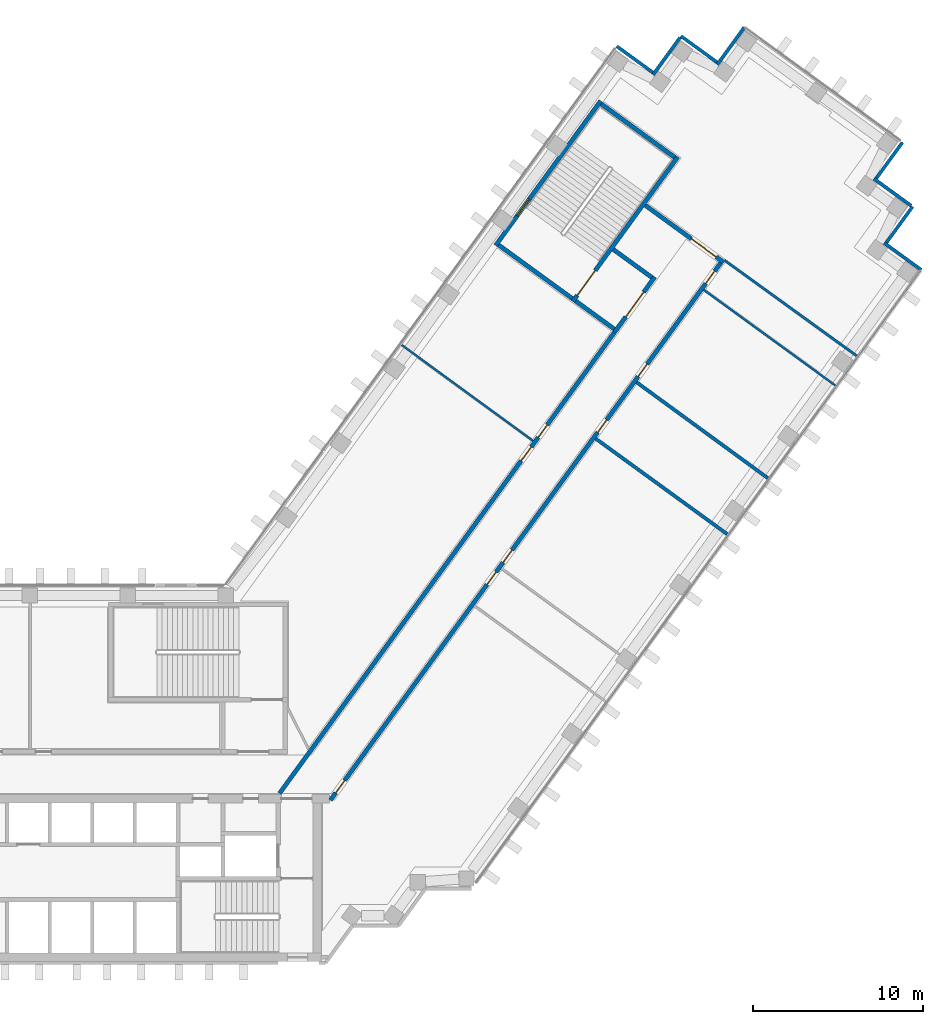
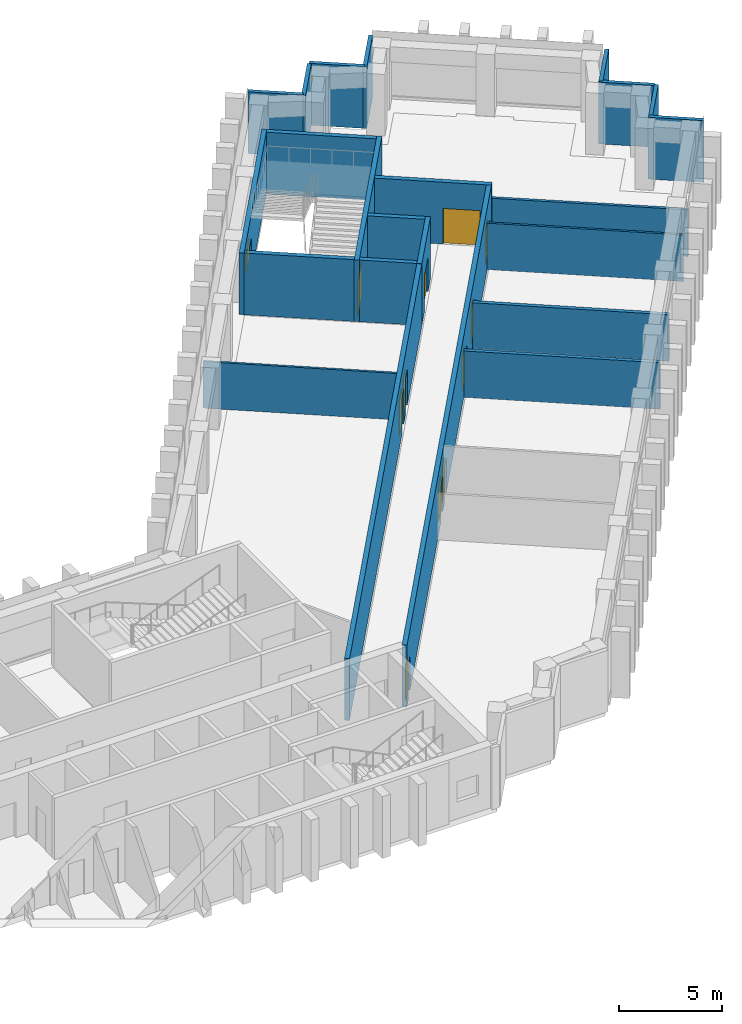
# One storey, part 13 of 17: 23 walls, 11 doors, 1 window, 12 openings.
"""IFC4 building model written with IfcOpenShell, lengths in metres."""

from ifc_helpers import new_model, si_unit, direction, frame, frame_2d, origin, place, context, subcontext, project, spatial, rectangle, extrude, material, layer, layer_set, type_object, element, fill, save


model = new_model("IFC4")

# Units and contexts
model_context = context("Model", 3, precision=1e-05, world=origin(), true_north=direction((0.0, 1.0)))
body_context = subcontext(model_context, "Body", "Model", "MODEL_VIEW")
ifc_project = project(units=[si_unit("LENGTHUNIT", "METRE"), si_unit("AREAUNIT", "SQUARE_METRE"), si_unit("VOLUMEUNIT", "CUBIC_METRE"), si_unit("PLANEANGLEUNIT", "RADIAN"), si_unit("MASSUNIT", "GRAM", prefix="KILO")], contexts=[model_context])

# Site, building, storey
site_placement = place(None, origin())
site = spatial("IfcSite", under=ifc_project, at=site_placement, CompositionType="ELEMENT")
building_placement = place(site_placement, origin())
building = spatial("IfcBuilding", under=site, at=building_placement, Name="Quipu Civic Tower", CompositionType="ELEMENT")
storey_placement = place(building_placement, frame((0.0, 0.0, 39.0)))
storey = spatial("IfcBuildingStorey", under=building, at=storey_placement, Name="L08", CompositionType="ELEMENT", Elevation=39.0)

# Walls
ifc_material_1 = material(Name="Double gypsum plasterboard with mineral wool")
ifc_layer_1 = layer(ifc_material_1, 0.14990234375)
ifc_layer_set_1 = layer_set([ifc_layer_1], Name="Double gypsum plasterboard with mineral wool")
wall_type_1 = type_object("IfcWallType", Name="Acoustic partition 150 plasterboard", PredefinedType="PARTITIONING", material=ifc_layer_set_1)
wall_1_placement = place(storey_placement, frame((43.698486328125, 30.185302734375, 0.0), z_axis=(0.0, 0.0, 1.0), x_axis=(0.810419489461, -0.58585002441, 0.0)))
element("IfcWall", 1, at=wall_1_placement, inside=storey, type_object=wall_type_1, Name="Partition P13", PredefinedType="PARTITIONING", context=body_context, shape_type="SweptSolid", body=[
    extrude(rectangle(XDim=9.570068359375, YDim=0.14990234375, at=frame_2d((4.78515625, 0.0))), origin(), (0.0, 0.0, 1.0), 2.75),
])
ifc_material_2 = material(Name="Fired clay blockwork", Category="masonry")
ifc_layer_2 = layer(ifc_material_2, 0.199951171875)
ifc_layer_set_2 = layer_set([ifc_layer_2], Name="Fired clay blockwork")
wall_type_2 = type_object("IfcWallType", Name="Blockwork wall 200", PredefinedType="SOLIDWALL", material=ifc_layer_set_2)
for number, where, z_axis, x_axis, name in (
    (2, (43.84423828125, 14.1044921875, 0.0), (0.0, 0.0, 1.0), (-0.809102944047, 0.587666934526, 0.0), "Partition P03"),
    (3, (38.521728515625, 23.026123046875, 0.0), (0.0, 0.0, 1.0), (0.807606997933, -0.589721067023, 0.0), "Partition P05"),
):
    element("IfcWall", number, at=place(storey_placement, frame(where, z_axis=z_axis, x_axis=x_axis)), inside=storey, type_object=wall_type_2, Name=name, PredefinedType="SOLIDWALL", context=body_context, shape_type="SweptSolid", body=[
        extrude(rectangle(XDim=9.550048828125, YDim=0.199951171875, at=frame_2d((4.77490234375, 0.0))), origin(), (0.0, 0.0, 1.0), 2.75),
    ])

# Wall, opening, door
ifc_material_3 = material(Name="Concrete C70/85", Category="concrete")
ifc_layer_3 = layer(ifc_material_3, 0.25)
ifc_layer_set_3 = layer_set([ifc_layer_3], Name="Concrete C70/85")
wall_type_3 = type_object("IfcWallType", Name="Core wall 250", PredefinedType="SHEAR", material=ifc_layer_set_3)
wall_2_placement = place(storey_placement, frame((37.237548828125, 25.979736328125, 0.0), z_axis=(0.0, 0.0, 1.0), x_axis=(0.587772420479, 0.809026317077, 0.0)))
wall_2 = element("IfcWall", 4, at=wall_2_placement, inside=storey, type_object=wall_type_3, Name="Core wall", PredefinedType="SHEAR", context=body_context, shape_type="SweptSolid", body=[
    extrude(rectangle(XDim=4.0, YDim=0.25, at=frame_2d((2.0, 0.0))), origin(), (0.0, 0.0, 1.0), 3.64990234375),
])
opening_1_placement = place(wall_2_placement, frame((1.10009765625, 0.0, 0.0)))
opening_1 = element("IfcOpeningElement", 5, at=opening_1_placement, cuts=wall_2, Name="Opening CD-21", PredefinedType="OPENING", context=body_context, shape_type="SweptSolid", body=[
    extrude(rectangle(XDim=1.800048828125, YDim=2.10009765625, at=frame_2d((0.89990234375, 1.050048828125))), frame((0.0, 0.135009765625, 0.0), z_axis=(0.0, -1.0, 0.0), x_axis=(1.0, 0.0, 0.0)), (0.0, 0.0, 1.0), 0.27001953125),
])
ifc_material_4 = material(Name="Fire rated steel door", Category="steel")
door_type_1 = type_object("IfcDoorType", Name="Fire door FD90 double 1800 x 2100", OperationType="NOTDEFINED", PredefinedType="DOOR", material=ifc_material_4)
door_1_placement = place(opening_1_placement, origin())
door_1 = element("IfcDoor", 6, at=door_1_placement, inside=storey, type_object=door_type_1, Name="Lobby door", OperationType="DOUBLE_DOOR_SINGLE_SWING", OverallHeight=2.10009765625, OverallWidth=1.800048828125, PredefinedType="DOOR", context=body_context, shape_type="SweptSolid", body=[
    extrude(rectangle(XDim=1.800048828125, YDim=2.10009765625, at=frame_2d((0.89990234375, 1.050048828125))), frame((0.0, 0.02490234375, 0.0), z_axis=(0.0, -1.0, 0.0), x_axis=(1.0, 0.0, 0.0)), (0.0, 0.0, 1.0), 0.050048828125),
])
fill(opening_1, door_1)

# Walls
for number, where, z_axis, x_axis, name in (
    (7, (37.2099609375, 26.154296875, 0.0), (0.0, 0.0, 1.0), (-0.809041377956, 0.587751689708, 0.0), "Core wall"),
    (8, (39.4140625, 29.18798828125, 0.0), (0.0, 0.0, 1.0), (-0.808969789945, 0.58785021813, 0.0), "Core wall"),
):
    element("IfcWall", number, at=place(storey_placement, frame(where, z_axis=z_axis, x_axis=x_axis)), inside=storey, type_object=wall_type_3, Name=name, PredefinedType="SHEAR", context=body_context, shape_type="SweptSolid", body=[
        extrude(rectangle(XDim=2.800048828125, YDim=0.25, at=frame_2d((1.39990234375, 0.0))), origin(), (0.0, 0.0, 1.0), 3.64990234375),
    ])

# Wall, opening, door
wall_3_placement = place(storey_placement, frame((34.77001953125, 27.7724609375, 0.0), z_axis=(0.0, 0.0, 1.0), x_axis=(0.587795589702, 0.809009483706, 0.0)))
wall_3 = element("IfcWall", 9, at=wall_3_placement, inside=storey, type_object=wall_type_3, Name="Core wall", PredefinedType="SHEAR", context=body_context, shape_type="SweptSolid", body=[
    extrude(rectangle(XDim=10.5, YDim=0.25, at=frame_2d((5.25, 0.0))), origin(), (0.0, 0.0, 1.0), 3.64990234375),
])
opening_2_placement = place(wall_3_placement, frame((0.449951171875, 0.0, 0.0)))
opening_2 = element("IfcOpeningElement", 10, at=opening_2_placement, cuts=wall_3, Name="Opening CD-22", PredefinedType="OPENING", context=body_context, shape_type="SweptSolid", body=[
    extrude(rectangle(XDim=1.800048828125, YDim=2.10009765625, at=frame_2d((0.89990234375, 1.050048828125))), frame((0.0, 0.135009765625, 0.0), z_axis=(0.0, -1.0, 0.0), x_axis=(1.0, 0.0, 0.0)), (0.0, 0.0, 1.0), 0.27001953125),
])
door_2_placement = place(opening_2_placement, origin())
door_2 = element("IfcDoor", 11, at=door_2_placement, inside=storey, type_object=door_type_1, Name="Door", OperationType="DOUBLE_DOOR_SINGLE_SWING", OverallHeight=2.10009765625, OverallWidth=1.800048828125, PredefinedType="DOOR", context=body_context, shape_type="SweptSolid", body=[
    extrude(rectangle(XDim=1.800048828125, YDim=2.10009765625, at=frame_2d((0.89990234375, 1.050048828125))), frame((0.0, 0.02490234375, 0.0), z_axis=(0.0, -1.0, 0.0), x_axis=(1.0, 0.0, 0.0)), (0.0, 0.0, 1.0), 0.050048828125),
])
fill(opening_2, door_2)

# Walls
wall_4_placement = place(storey_placement, frame((34.742431640625, 27.947021484375, 0.0), z_axis=(0.0, 0.0, 1.0), x_axis=(-0.8089984606, 0.587810760999, 0.0)))
element("IfcWall", 12, at=wall_4_placement, inside=storey, type_object=wall_type_3, Name="Core wall", PredefinedType="SHEAR", context=body_context, shape_type="SweptSolid", body=[
    extrude(rectangle(XDim=5.35009765625, YDim=0.25, at=frame_2d((2.675048828125, 0.0))), origin(), (0.0, 0.0, 1.0), 3.64990234375),
])
wall_5_placement = place(storey_placement, frame((40.76708984375, 36.239501953125, 0.0), z_axis=(0.0, 0.0, 1.0), x_axis=(-0.809020161303, 0.587780893365, 0.0)))
element("IfcWall", 13, at=wall_5_placement, inside=storey, type_object=wall_type_3, Name="Core wall", PredefinedType="SHEAR", context=body_context, shape_type="SweptSolid", body=[
    extrude(rectangle(XDim=5.349853515625, YDim=0.25, at=frame_2d((2.6748046875, 0.0))), origin(), (0.0, 0.0, 1.0), 3.64990234375),
])

# Wall, opening, window
wall_6_placement = place(storey_placement, frame((30.239501953125, 31.06396484375, 0.0), z_axis=(0.0, 0.0, 1.0), x_axis=(0.587795589702, 0.809009483706, 0.0)))
wall_6 = element("IfcWall", 14, at=wall_6_placement, inside=storey, type_object=wall_type_3, Name="Core wall", PredefinedType="SHEAR", context=body_context, shape_type="SweptSolid", body=[
    extrude(rectangle(XDim=10.5, YDim=0.25, at=frame_2d((5.25, 0.0))), origin(), (0.0, 0.0, 1.0), 3.64990234375),
])
opening_3_placement = place(wall_6_placement, frame((2.14990234375, 0.0, 1.0)))
opening_3 = element("IfcOpeningElement", 15, at=opening_3_placement, cuts=wall_6, Name="Opening SV-7", PredefinedType="OPENING", context=body_context, shape_type="SweptSolid", body=[
    extrude(rectangle(XDim=1.199951171875, YDim=1.199951171875, at=frame_2d((0.60009765625, 0.60009765625))), frame((0.0, 0.135009765625, 0.0), z_axis=(0.0, -1.0, 0.0), x_axis=(1.0, 0.0, 0.0)), (0.0, 0.0, 1.0), 0.27001953125),
])
ifc_material_5 = material(Name="Aluminium louvre", Category="aluminium")
window_type = type_object("IfcWindowType", Name="Stair ventilation louvre 1200 x 1200", PartitioningType="SINGLE_PANEL", PredefinedType="WINDOW", material=ifc_material_5)
window_placement = place(opening_3_placement, origin())
window = element("IfcWindow", 16, at=window_placement, inside=storey, type_object=window_type, Name="Stair ventilation opening", OverallHeight=1.199951171875, OverallWidth=1.199951171875, PartitioningType="SINGLE_PANEL", PredefinedType="WINDOW", context=body_context, shape_type="SweptSolid", body=[
    extrude(rectangle(XDim=1.199951171875, YDim=1.199951171875, at=frame_2d((0.60009765625, 0.60009765625))), frame((0.0, 0.030029296875, 0.0), z_axis=(0.0, -1.0, 0.0), x_axis=(1.0, 0.0, 0.0)), (0.0, 0.0, 1.0), 0.06005859375),
])
fill(opening_3, window)

# Wall, openings, doors
ifc_material_6 = material(Name="Concrete C50/60", Category="concrete")
ifc_layer_4 = layer(ifc_material_6, 0.25)
ifc_layer_set_4 = layer_set([ifc_layer_4], Name="Concrete C50/60")
wall_type_4 = type_object("IfcWallType", Name="Corridor wall 250 concrete", PredefinedType="SOLIDWALL", material=ifc_layer_set_4)
wall_7_placement = place(storey_placement, frame((17.544921875, -1.124755859375, 0.0), z_axis=(0.0, 0.0, 1.0), x_axis=(0.587786323093, 0.809016216391, 0.0)))
wall_7 = element("IfcWall", 17, at=wall_7_placement, inside=storey, type_object=wall_type_4, Name="Corridor wall C06", PredefinedType="SOLIDWALL", context=body_context, shape_type="SweptSolid", body=[
    extrude(rectangle(XDim=33.4931640625, YDim=0.25, at=frame_2d((16.74658203125, 0.0))), origin(), (0.0, 0.0, 1.0), 3.64990234375),
])
opening_4_placement = place(wall_7_placement, frame((25.857421875, 0.0, 0.0)))
opening_4 = element("IfcOpeningElement", 18, at=opening_4_placement, cuts=wall_7, Name="Opening D002", PredefinedType="OPENING", context=body_context, shape_type="SweptSolid", body=[
    extrude(rectangle(XDim=0.89990234375, YDim=2.10009765625, at=frame_2d((0.449951171875, 1.050048828125))), frame((0.0, 0.135009765625, 0.0), z_axis=(0.0, -1.0, 0.0), x_axis=(1.0, 0.0, 0.0)), (0.0, 0.0, 1.0), 0.27001953125),
])
opening_5_placement = place(wall_7_placement, frame((24.1572265625, 0.0, 0.0)))
opening_5 = element("IfcOpeningElement", 19, at=opening_5_placement, cuts=wall_7, Name="Opening D001", PredefinedType="OPENING", context=body_context, shape_type="SweptSolid", body=[
    extrude(rectangle(XDim=1.0, YDim=2.10009765625, at=frame_2d((0.5, 1.050048828125))), frame((0.0, 0.135009765625, 0.0), z_axis=(0.0, -1.0, 0.0), x_axis=(1.0, 0.0, 0.0)), (0.0, 0.0, 1.0), 0.27001953125),
])
ifc_material_7 = material(Name="Fire rated timber door set with metal frame", Category="wood")
door_type_2 = type_object("IfcDoorType", Name="Single door 1000 x 2100 FD60", OperationType="NOTDEFINED", PredefinedType="DOOR", material=ifc_material_7)
door_3_placement = place(opening_5_placement, origin())
door_3 = element("IfcDoor", 20, at=door_3_placement, inside=storey, type_object=door_type_2, Name="Door D001", OperationType="SINGLE_SWING_RIGHT", OverallHeight=2.10009765625, OverallWidth=1.0, PredefinedType="DOOR", context=body_context, shape_type="SweptSolid", body=[
    extrude(rectangle(XDim=1.0, YDim=2.10009765625, at=frame_2d((0.5, 1.050048828125))), frame((0.0, 0.02490234375, 0.0), z_axis=(0.0, -1.0, 0.0), x_axis=(1.0, 0.0, 0.0)), (0.0, 0.0, 1.0), 0.050048828125),
])
fill(opening_5, door_3)
ifc_material_8 = material(Name="Fire rated timber door set with metal frame", Category="wood")
door_type_3 = type_object("IfcDoorType", Name="Single door 900 x 2100 FD60", OperationType="NOTDEFINED", PredefinedType="DOOR", material=ifc_material_8)
door_4_placement = place(opening_4_placement, origin())
door_4 = element("IfcDoor", 21, at=door_4_placement, inside=storey, type_object=door_type_3, Name="Door D002", OperationType="SINGLE_SWING_LEFT", OverallHeight=2.10009765625, OverallWidth=0.89990234375, PredefinedType="DOOR", context=body_context, shape_type="SweptSolid", body=[
    extrude(rectangle(XDim=0.89990234375, YDim=2.10009765625, at=frame_2d((0.449951171875, 1.050048828125))), frame((0.0, 0.02490234375, 0.0), z_axis=(0.0, -1.0, 0.0), x_axis=(1.0, 0.0, 0.0)), (0.0, 0.0, 1.0), 0.050048828125),
])
fill(opening_4, door_4)

# Wall, opening, door
wall_8_placement = place(storey_placement, frame((39.03369140625, 33.419921875, 0.0), z_axis=(0.0, 0.0, 1.0), x_axis=(0.809023325802, -0.587776537732, 0.0)))
wall_8 = element("IfcWall", 22, at=wall_8_placement, inside=storey, type_object=wall_type_4, Name="Corridor wall C07", PredefinedType="SOLIDWALL", context=body_context, shape_type="SweptSolid", body=[
    extrude(rectangle(XDim=5.695068359375, YDim=0.25, at=frame_2d((2.84765625, 0.0))), origin(), (0.0, 0.0, 1.0), 3.64990234375),
])
opening_6_placement = place(wall_8_placement, frame((3.34521484375, 0.0, 0.0)))
opening_6 = element("IfcOpeningElement", 23, at=opening_6_placement, cuts=wall_8, Name="Opening D009", PredefinedType="OPENING", context=body_context, shape_type="SweptSolid", body=[
    extrude(rectangle(XDim=1.800048828125, YDim=2.10009765625, at=frame_2d((0.89990234375, 1.050048828125))), frame((0.0, 0.135009765625, 0.0), z_axis=(0.0, -1.0, 0.0), x_axis=(1.0, 0.0, 0.0)), (0.0, 0.0, 1.0), 0.27001953125),
])
ifc_material_9 = material(Name="Fire rated timber door set with metal frame", Category="wood")
door_type_4 = type_object("IfcDoorType", Name="Double door 1800 x 2100 FD60", OperationType="DOUBLE_DOOR_SINGLE_SWING", PredefinedType="DOOR", material=ifc_material_9)
door_5_placement = place(opening_6_placement, origin())
door_5 = element("IfcDoor", 24, at=door_5_placement, inside=storey, type_object=door_type_4, Name="Door D009", OperationType="DOUBLE_DOOR_SINGLE_SWING", OverallHeight=2.10009765625, OverallWidth=1.800048828125, PredefinedType="DOOR", context=body_context, shape_type="SweptSolid", body=[
    extrude(rectangle(XDim=1.800048828125, YDim=2.10009765625, at=frame_2d((0.89990234375, 1.050048828125))), frame((0.0, 0.02490234375, 0.0), z_axis=(0.0, -1.0, 0.0), x_axis=(1.0, 0.0, 0.0)), (0.0, 0.0, 1.0), 0.050048828125),
])
fill(opening_6, door_5)

# Wall, openings, doors
wall_9_placement = place(storey_placement, frame((43.466552734375, 30.044677734375, 0.0), z_axis=(0.0, 0.0, 1.0), x_axis=(-0.587784726077, -0.809017376692, 0.0)))
wall_9 = element("IfcWall", 25, at=wall_9_placement, inside=storey, type_object=wall_type_4, Name="Corridor wall C08", PredefinedType="SOLIDWALL", context=body_context, shape_type="SweptSolid", body=[
    extrude(rectangle(XDim=39.020263671875, YDim=0.25, at=frame_2d((19.51025390625, 0.0))), origin(), (0.0, 0.0, 1.0), 3.64990234375),
])
opening_7_placement = place(wall_9_placement, frame((37.587646484375, 0.0, 0.0)))
opening_7 = element("IfcOpeningElement", 26, at=opening_7_placement, cuts=wall_9, Name="Opening D003", PredefinedType="OPENING", context=body_context, shape_type="SweptSolid", body=[
    extrude(rectangle(XDim=0.89990234375, YDim=2.10009765625, at=frame_2d((0.449951171875, 1.050048828125))), frame((0.0, 0.135009765625, 0.0), z_axis=(0.0, -1.0, 0.0), x_axis=(1.0, 0.0, 0.0)), (0.0, 0.0, 1.0), 0.27001953125),
])
opening_8_placement = place(wall_9_placement, frame((20.85498046875, 0.0, 0.0)))
opening_8 = element("IfcOpeningElement", 27, at=opening_8_placement, cuts=wall_9, Name="Opening D005", PredefinedType="OPENING", context=body_context, shape_type="SweptSolid", body=[
    extrude(rectangle(XDim=0.89990234375, YDim=2.10009765625, at=frame_2d((0.449951171875, 1.050048828125))), frame((0.0, 0.135009765625, 0.0), z_axis=(0.0, -1.0, 0.0), x_axis=(1.0, 0.0, 0.0)), (0.0, 0.0, 1.0), 0.27001953125),
])
opening_9_placement = place(wall_9_placement, frame((7.35498046875, 0.0, 0.0)))
opening_9 = element("IfcOpeningElement", 28, at=opening_9_placement, cuts=wall_9, Name="Opening D007", PredefinedType="OPENING", context=body_context, shape_type="SweptSolid", body=[
    extrude(rectangle(XDim=0.89990234375, YDim=2.10009765625, at=frame_2d((0.449951171875, 1.050048828125))), frame((0.0, 0.135009765625, 0.0), z_axis=(0.0, -1.0, 0.0), x_axis=(1.0, 0.0, 0.0)), (0.0, 0.0, 1.0), 0.27001953125),
])
opening_10_placement = place(wall_9_placement, frame((11.404296875, 0.0, 0.0)))
opening_10 = element("IfcOpeningElement", 29, at=opening_10_placement, cuts=wall_9, Name="Opening D006", PredefinedType="OPENING", context=body_context, shape_type="SweptSolid", body=[
    extrude(rectangle(XDim=0.89990234375, YDim=2.10009765625, at=frame_2d((0.449951171875, 1.050048828125))), frame((0.0, 0.135009765625, 0.0), z_axis=(0.0, -1.0, 0.0), x_axis=(1.0, 0.0, 0.0)), (0.0, 0.0, 1.0), 0.27001953125),
])
opening_11_placement = place(wall_9_placement, frame((0.6044921875, 0.0, 0.0)))
opening_11 = element("IfcOpeningElement", 30, at=opening_11_placement, cuts=wall_9, Name="Opening D008", PredefinedType="OPENING", context=body_context, shape_type="SweptSolid", body=[
    extrude(rectangle(XDim=0.89990234375, YDim=2.10009765625, at=frame_2d((0.449951171875, 1.050048828125))), frame((0.0, 0.135009765625, 0.0), z_axis=(0.0, -1.0, 0.0), x_axis=(1.0, 0.0, 0.0)), (0.0, 0.0, 1.0), 0.27001953125),
])
opening_12_placement = place(wall_9_placement, frame((22.45458984375, 0.0, 0.0)))
opening_12 = element("IfcOpeningElement", 31, at=opening_12_placement, cuts=wall_9, Name="Opening D004", PredefinedType="OPENING", context=body_context, shape_type="SweptSolid", body=[
    extrude(rectangle(XDim=0.89990234375, YDim=2.10009765625, at=frame_2d((0.449951171875, 1.050048828125))), frame((0.0, 0.135009765625, 0.0), z_axis=(0.0, -1.0, 0.0), x_axis=(1.0, 0.0, 0.0)), (0.0, 0.0, 1.0), 0.27001953125),
])
door_6_placement = place(opening_7_placement, origin())
door_6 = element("IfcDoor", 32, at=door_6_placement, inside=storey, type_object=door_type_3, Name="Door D003", OperationType="SINGLE_SWING_RIGHT", OverallHeight=2.10009765625, OverallWidth=0.89990234375, PredefinedType="DOOR", context=body_context, shape_type="SweptSolid", body=[
    extrude(rectangle(XDim=0.89990234375, YDim=2.10009765625, at=frame_2d((0.449951171875, 1.050048828125))), frame((0.0, 0.02490234375, 0.0), z_axis=(0.0, -1.0, 0.0), x_axis=(1.0, 0.0, 0.0)), (0.0, 0.0, 1.0), 0.050048828125),
])
fill(opening_7, door_6)
door_7_placement = place(opening_8_placement, origin())
door_7 = element("IfcDoor", 33, at=door_7_placement, inside=storey, type_object=door_type_3, Name="Door D005", OperationType="SINGLE_SWING_RIGHT", OverallHeight=2.10009765625, OverallWidth=0.89990234375, PredefinedType="DOOR", context=body_context, shape_type="SweptSolid", body=[
    extrude(rectangle(XDim=0.89990234375, YDim=2.10009765625, at=frame_2d((0.449951171875, 1.050048828125))), frame((0.0, 0.02490234375, 0.0), z_axis=(0.0, -1.0, 0.0), x_axis=(1.0, 0.0, 0.0)), (0.0, 0.0, 1.0), 0.050048828125),
])
fill(opening_8, door_7)
door_8_placement = place(opening_9_placement, origin())
door_8 = element("IfcDoor", 34, at=door_8_placement, inside=storey, type_object=door_type_3, Name="Door D007", OperationType="SINGLE_SWING_RIGHT", OverallHeight=2.10009765625, OverallWidth=0.89990234375, PredefinedType="DOOR", context=body_context, shape_type="SweptSolid", body=[
    extrude(rectangle(XDim=0.89990234375, YDim=2.10009765625, at=frame_2d((0.449951171875, 1.050048828125))), frame((0.0, 0.02490234375, 0.0), z_axis=(0.0, -1.0, 0.0), x_axis=(1.0, 0.0, 0.0)), (0.0, 0.0, 1.0), 0.050048828125),
])
fill(opening_9, door_8)
door_9_placement = place(opening_10_placement, origin())
door_9 = element("IfcDoor", 35, at=door_9_placement, inside=storey, type_object=door_type_3, Name="Door D006", OperationType="SINGLE_SWING_RIGHT", OverallHeight=2.10009765625, OverallWidth=0.89990234375, PredefinedType="DOOR", context=body_context, shape_type="SweptSolid", body=[
    extrude(rectangle(XDim=0.89990234375, YDim=2.10009765625, at=frame_2d((0.449951171875, 1.050048828125))), frame((0.0, 0.02490234375, 0.0), z_axis=(0.0, -1.0, 0.0), x_axis=(1.0, 0.0, 0.0)), (0.0, 0.0, 1.0), 0.050048828125),
])
fill(opening_10, door_9)
door_10_placement = place(opening_11_placement, origin())
door_10 = element("IfcDoor", 36, at=door_10_placement, inside=storey, type_object=door_type_3, Name="Door D008", OperationType="SINGLE_SWING_RIGHT", OverallHeight=2.10009765625, OverallWidth=0.89990234375, PredefinedType="DOOR", context=body_context, shape_type="SweptSolid", body=[
    extrude(rectangle(XDim=0.89990234375, YDim=2.10009765625, at=frame_2d((0.449951171875, 1.050048828125))), frame((0.0, 0.02490234375, 0.0), z_axis=(0.0, -1.0, 0.0), x_axis=(1.0, 0.0, 0.0)), (0.0, 0.0, 1.0), 0.050048828125),
])
fill(opening_11, door_10)
door_11_placement = place(opening_12_placement, origin())
door_11 = element("IfcDoor", 37, at=door_11_placement, inside=storey, type_object=door_type_3, Name="Door D004", OperationType="SINGLE_SWING_LEFT", OverallHeight=2.10009765625, OverallWidth=0.89990234375, PredefinedType="DOOR", context=body_context, shape_type="SweptSolid", body=[
    extrude(rectangle(XDim=0.89990234375, YDim=2.10009765625, at=frame_2d((0.449951171875, 1.050048828125))), frame((0.0, 0.02490234375, 0.0), z_axis=(0.0, -1.0, 0.0), x_axis=(1.0, 0.0, 0.0)), (0.0, 0.0, 1.0), 0.050048828125),
])
fill(opening_12, door_11)

# Walls
ifc_material_10 = material(Name="Gypsum plasterboard on light gauge framing")
ifc_layer_5 = layer(ifc_material_10, 0.1201171875)
ifc_layer_set_5 = layer_set([ifc_layer_5], Name="Gypsum plasterboard on light gauge framing")
wall_type_5 = type_object("IfcWallType", Name="Partition 120 plasterboard", PredefinedType="PARTITIONING", material=ifc_layer_set_5)
wall_10_placement = place(storey_placement, frame((24.724365234375, 25.216796875, 0.0), z_axis=(0.0, 0.0, 1.0), x_axis=(0.807606997933, -0.589721067023, 0.0)))
element("IfcWall", 38, at=wall_10_placement, inside=storey, type_object=wall_type_5, Name="Partition P01", PredefinedType="PARTITIONING", context=body_context, shape_type="SweptSolid", body=[
    extrude(rectangle(XDim=9.550048828125, YDim=0.1201171875, at=frame_2d((4.77490234375, 0.0))), origin(), (0.0, 0.0, 1.0), 2.75),
])
wall_11_placement = place(storey_placement, frame((50.19189453125, 22.84130859375, 0.0), z_axis=(0.0, 0.0, 1.0), x_axis=(-0.809033337127, 0.587762757767, 0.0)))
element("IfcWall", 39, at=wall_11_placement, inside=storey, type_object=wall_type_5, Name="Partition P06", PredefinedType="PARTITIONING", context=body_context, shape_type="SweptSolid", body=[
    extrude(rectangle(XDim=9.55078125, YDim=0.1201171875, at=frame_2d((4.775390625, 0.0))), origin(), (0.0, 0.0, 1.0), 2.75),
])
ifc_material_11 = material(Name="Precast concrete C40/50", Category="concrete")
wall_type_6 = type_object("IfcWallType", Name="Precast cladding wall", PredefinedType="SOLIDWALL", material=ifc_material_11)
wall_12_placement = place(storey_placement, frame((55.2470703125, 29.62890625, 0.0), z_axis=(0.0, 0.0, 1.0), x_axis=(-0.809033161865, 0.587762999008, 0.0)))
element("IfcWall", 40, at=wall_12_placement, inside=storey, type_object=wall_type_6, Name="Precast cladding wall L08 P14", PredefinedType="SOLIDWALL", context=body_context, shape_type="SweptSolid", body=[
    extrude(rectangle(XDim=2.699951171875, YDim=0.199951171875, at=frame_2d((1.35009765625, 0.0))), origin(), (0.0, 0.0, 1.0), 3.64990234375),
])
wall_13_placement = place(storey_placement, frame((53.150634765625, 31.166748046875, 0.0), z_axis=(0.0, 0.0, 1.0), x_axis=(0.587779184282, 0.809021403008, 0.0)))
element("IfcWall", 41, at=wall_13_placement, inside=storey, type_object=wall_type_6, Name="Precast cladding wall L08 P15", PredefinedType="SOLIDWALL", context=body_context, shape_type="SweptSolid", body=[
    extrude(rectangle(XDim=2.7001953125, YDim=0.199951171875, at=frame_2d((1.35009765625, 0.0))), origin(), (0.0, 0.0, 1.0), 3.64990234375),
])
for number, where, z_axis, x_axis, name in (
    (42, (54.649658203125, 33.400390625, 0.0), (0.0, 0.0, 1.0), (-0.809033161865, 0.587762999008, 0.0), "Precast cladding wall L08 P16"),
    (43, (52.55322265625, 34.938232421875, 0.0), (0.0, 0.0, 1.0), (0.587822180636, 0.808990163075, 0.0), "Precast cladding wall L08 P17"),
    (44, (44.846435546875, 43.875, 0.0), (0.0, 0.0, 1.0), (-0.587822180636, -0.808990163075, 0.0), "Precast cladding wall L08 P19"),
    (45, (43.308349609375, 41.77880859375, 0.0), (0.0, 0.0, 1.0), (-0.809033161865, 0.587762999008, 0.0), "Precast cladding wall L08 P20"),
):
    element("IfcWall", number, at=place(storey_placement, frame(where, z_axis=z_axis, x_axis=x_axis)), inside=storey, type_object=wall_type_6, Name=name, PredefinedType="SOLIDWALL", context=body_context, shape_type="SweptSolid", body=[
        extrude(rectangle(XDim=2.699951171875, YDim=0.199951171875, at=frame_2d((1.35009765625, 0.0))), origin(), (0.0, 0.0, 1.0), 3.64990234375),
    ])
wall_14_placement = place(storey_placement, frame((41.074951171875, 43.277587890625, 0.0), z_axis=(0.0, 0.0, 1.0), x_axis=(-0.587806000234, -0.809001919707, 0.0)))
element("IfcWall", 46, at=wall_14_placement, inside=storey, type_object=wall_type_6, Name="Precast cladding wall L08 P21", PredefinedType="SOLIDWALL", context=body_context, shape_type="SweptSolid", body=[
    extrude(rectangle(XDim=2.69970703125, YDim=0.199951171875, at=frame_2d((1.349853515625, 0.0))), origin(), (0.0, 0.0, 1.0), 3.64990234375),
])
wall_15_placement = place(storey_placement, frame((39.537109375, 41.181396484375, 0.0), z_axis=(0.0, 0.0, 1.0), x_axis=(-0.809033161865, 0.587762999008, 0.0)))
element("IfcWall", 47, at=wall_15_placement, inside=storey, type_object=wall_type_6, Name="Precast cladding wall L08 P22", PredefinedType="SOLIDWALL", context=body_context, shape_type="SweptSolid", body=[
    extrude(rectangle(XDim=2.699951171875, YDim=0.199951171875, at=frame_2d((1.35009765625, 0.0))), origin(), (0.0, 0.0, 1.0), 3.64990234375),
])

save(model, "model.ifc")
